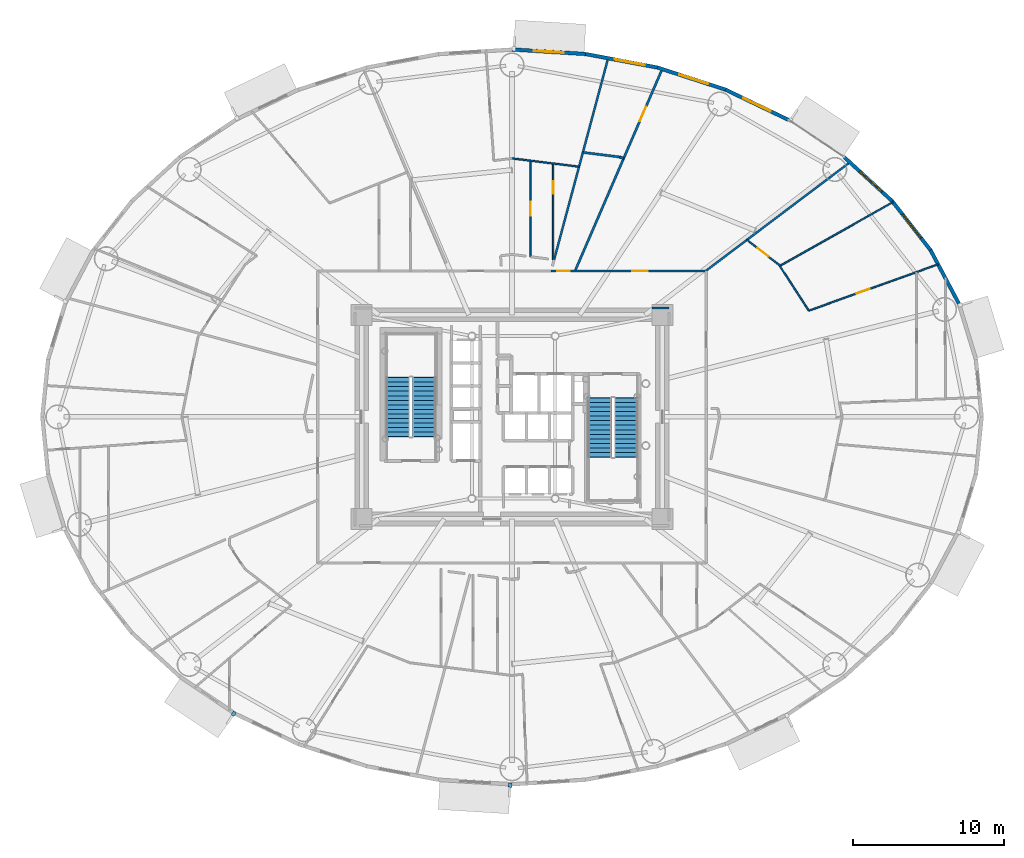
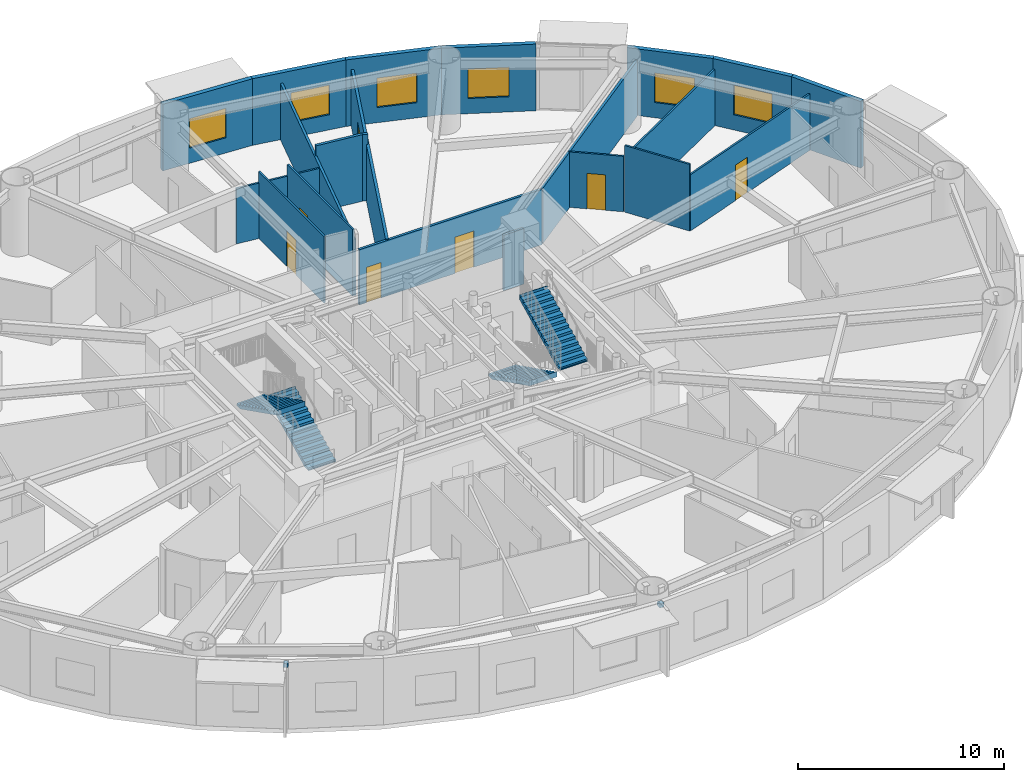
# One storey, part 16 of 24: 21 walls, 7 doors, 6 windows, 4 stair flights, 2 discrete accessories, 13 openings, 2 elements without a shape of their own.
"""IFC4 building model written with IfcOpenShell, lengths in metres."""

from ifc_helpers import new_model, si_unit, direction, frame, frame_2d, origin, origin_2d, place, context, subcontext, project, spatial, polyline, rectangle, outline, extrude, source, transform, mapped, material, layer, layer_set, type_object, element, fill, aggregate, save


model = new_model("IFC4")

# Units and contexts
model_context = context("Model", 3, precision=1e-05, world=origin(), true_north=direction((0.0, 1.0)))
body_context = subcontext(model_context, "Body", "Model", "MODEL_VIEW")
ifc_project = project(units=[si_unit("LENGTHUNIT", "METRE"), si_unit("AREAUNIT", "SQUARE_METRE"), si_unit("VOLUMEUNIT", "CUBIC_METRE"), si_unit("PLANEANGLEUNIT", "RADIAN"), si_unit("MASSUNIT", "GRAM", prefix="KILO")], contexts=[model_context])

# Site, building, storey
site_placement = place(None, origin())
site = spatial("IfcSite", under=ifc_project, at=site_placement, CompositionType="ELEMENT")
building_placement = place(site_placement, origin())
building = spatial("IfcBuilding", under=site, at=building_placement, Name="Linh Dai School and Residence Tower", CompositionType="ELEMENT")
storey_placement = place(building_placement, frame((0.0, 0.0, 70.199951171875)))
storey = spatial("IfcBuildingStorey", under=building, at=storey_placement, Name="L16", CompositionType="ELEMENT", Elevation=70.199951171875)

# Wall
ifc_material_1 = material(Name="Precast Concrete B45 (C35/45)", Category="concrete")
ifc_layer_1 = layer(ifc_material_1, 0.239990234375)
ifc_layer_set_1 = layer_set([ifc_layer_1], Name="Precast Concrete B45 (C35/45)")
wall_type_1 = type_object("IfcWallType", Name="EW-TC-240", PredefinedType="SOLIDWALL", material=ifc_layer_set_1)
wall_1_placement = place(storey_placement, frame((63.694580078125, 38.022705078125, 0.0), z_axis=(0.0, 0.0, 1.0), x_axis=(0.467662443071, -0.883907144072, 0.0)))
element("IfcWall", 1, at=wall_1_placement, inside=storey, type_object=wall_type_1, Name="L16 Terracotta Exterior Wall 03", PredefinedType="SOLIDWALL", context=body_context, shape_type="SweptSolid", body=[
    extrude(rectangle(XDim=3.983642578125, YDim=0.239990234375, at=frame_2d((1.99169921875, 0.0))), origin(), (0.0, 0.0, 1.0), 3.949951171875),
])

# Wall, opening, window
wall_2_placement = place(storey_placement, frame((61.149658203125, 41.274658203125, 0.0), z_axis=(0.0, 0.0, 1.0), x_axis=(0.616295508253, -0.787514981767, 0.0)))
wall_2 = element("IfcWall", 2, at=wall_2_placement, inside=storey, type_object=wall_type_1, Name="L16 Terracotta Exterior Wall 04", PredefinedType="SOLIDWALL", context=body_context, shape_type="SweptSolid", body=[
    extrude(rectangle(XDim=4.12939453125, YDim=0.239990234375, at=frame_2d((2.064697265625, 0.0))), origin(), (0.0, 0.0, 1.0), 3.949951171875),
])
opening_1_placement = place(wall_2_placement, frame((1.091796875, 0.0, 0.89990234375)))
opening_1 = element("IfcOpeningElement", 3, at=opening_1_placement, cuts=wall_2, Name="Opening W1", PredefinedType="OPENING", context=body_context, shape_type="SweptSolid", body=[
    extrude(rectangle(XDim=2.0, YDim=1.75, at=origin_2d()), frame((1.0, 0.1298828125, 0.875), z_axis=(0.0, -1.0, 0.0), x_axis=(1.0, 0.0, 0.0)), (0.0, 0.0, 1.0), 0.260009765625),
])
ifc_material_2 = material(Name="Double Low-E Insulated Glazing", Category="glass")
window_type = type_object("IfcWindowType", Name="WN-RES-2000x1750", PartitioningType="DOUBLE_PANEL_VERTICAL", PredefinedType="WINDOW", material=ifc_material_2)
shared_shape_1 = source(origin(), body_context, "Body", "SweptSolid", [
    extrude(rectangle(XDim=2.0, YDim=1.75, at=origin_2d()), frame((1.0, 0.030029296875, 0.875), z_axis=(0.0, -1.0, 0.0), x_axis=(1.0, 0.0, 0.0)), (0.0, 0.0, 1.0), 0.06005859375),
])
window_1_placement = place(opening_1_placement, origin())
window_1 = element("IfcWindow", 4, at=window_1_placement, inside=storey, type_object=window_type, Name="L16 Exterior Window 04.1", OverallHeight=1.75, OverallWidth=2.0, PartitioningType="DOUBLE_PANEL_VERTICAL", PredefinedType="WINDOW", context=body_context, shape_type="MappedRepresentation", body=[
    mapped(shared_shape_1, transform((0.0, 0.0, 0.0), x_axis=(1.0, 0.0, 0.0), y_axis=(0.0, 1.0, 0.0), z_axis=(0.0, 0.0, 1.0), scale=1.0)),
])
fill(opening_1, window_1)

wall_3_placement = place(storey_placement, frame((57.984619140625, 44.17626953125, 0.0), z_axis=(0.0, 0.0, 1.0), x_axis=(0.737116376281, -0.67576582321, 0.0)))
wall_3 = element("IfcWall", 5, at=wall_3_placement, inside=storey, type_object=wall_type_1, Name="L16 Terracotta Exterior Wall 05", PredefinedType="SOLIDWALL", context=body_context, shape_type="SweptSolid", body=[
    extrude(rectangle(XDim=4.293701171875, YDim=0.239990234375, at=frame_2d((2.14697265625, 0.0))), origin(), (0.0, 0.0, 1.0), 3.949951171875),
])
opening_2_placement = place(wall_3_placement, frame((1.3779296875, 0.0, 0.89990234375)))
opening_2 = element("IfcOpeningElement", 6, at=opening_2_placement, cuts=wall_3, Name="Opening W1", PredefinedType="OPENING", context=body_context, shape_type="SweptSolid", body=[
    extrude(rectangle(XDim=2.0, YDim=1.75, at=origin_2d()), frame((1.0, 0.1298828125, 0.875), z_axis=(0.0, -1.0, 0.0), x_axis=(1.0, 0.0, 0.0)), (0.0, 0.0, 1.0), 0.260009765625),
])
window_2_placement = place(opening_2_placement, origin())
window_2 = element("IfcWindow", 7, at=window_2_placement, inside=storey, type_object=window_type, Name="L16 Exterior Window 05.1", OverallHeight=1.75, OverallWidth=2.0, PartitioningType="DOUBLE_PANEL_VERTICAL", PredefinedType="WINDOW", context=body_context, shape_type="MappedRepresentation", body=[
    mapped(shared_shape_1, transform((0.0, 0.0, 0.0), x_axis=(1.0, 0.0, 0.0), y_axis=(0.0, 1.0, 0.0), z_axis=(0.0, 0.0, 1.0), scale=1.0)),
])
fill(opening_2, window_2)

wall_4_placement = place(storey_placement, frame((50.1181640625, 48.651123046875, 0.0), z_axis=(0.0, 0.0, 1.0), x_axis=(0.901601503137, -0.432567601123, 0.0)))
wall_4 = element("IfcWall", 8, at=wall_4_placement, inside=storey, type_object=wall_type_1, Name="L16 Terracotta Exterior Wall 07", PredefinedType="SOLIDWALL", context=body_context, shape_type="SweptSolid", body=[
    extrude(rectangle(XDim=4.61279296875, YDim=0.239990234375, at=frame_2d((2.306396484375, 0.0))), origin(), (0.0, 0.0, 1.0), 3.949951171875),
])
opening_3_placement = place(wall_4_placement, frame((1.306396484375, 0.0, 0.89990234375)))
opening_3 = element("IfcOpeningElement", 9, at=opening_3_placement, cuts=wall_4, Name="Opening W1", PredefinedType="OPENING", context=body_context, shape_type="SweptSolid", body=[
    extrude(rectangle(XDim=2.0, YDim=1.75, at=origin_2d()), frame((1.0, 0.1298828125, 0.875), z_axis=(0.0, -1.0, 0.0), x_axis=(1.0, 0.0, 0.0)), (0.0, 0.0, 1.0), 0.260009765625),
])
window_3_placement = place(opening_3_placement, origin())
window_3 = element("IfcWindow", 10, at=window_3_placement, inside=storey, type_object=window_type, Name="L16 Exterior Window 07.1", OverallHeight=1.75, OverallWidth=2.0, PartitioningType="DOUBLE_PANEL_VERTICAL", PredefinedType="WINDOW", context=body_context, shape_type="MappedRepresentation", body=[
    mapped(shared_shape_1, transform((0.0, 0.0, 0.0), x_axis=(1.0, 0.0, 0.0), y_axis=(0.0, 1.0, 0.0), z_axis=(0.0, 0.0, 1.0), scale=1.0)),
])
fill(opening_3, window_3)

wall_5_placement = place(storey_placement, frame((45.610595703125, 50.11328125, 0.0), z_axis=(0.0, 0.0, 1.0), x_axis=(0.951207699013, -0.308551313946, 0.0)))
wall_5 = element("IfcWall", 11, at=wall_5_placement, inside=storey, type_object=wall_type_1, Name="L16 Terracotta Exterior Wall 08", PredefinedType="SOLIDWALL", context=body_context, shape_type="SweptSolid", body=[
    extrude(rectangle(XDim=4.73876953125, YDim=0.239990234375, at=frame_2d((2.369384765625, 0.0))), origin(), (0.0, 0.0, 1.0), 3.949951171875),
])
opening_4_placement = place(wall_5_placement, frame((1.531005859375, 0.0, 0.89990234375)))
opening_4 = element("IfcOpeningElement", 12, at=opening_4_placement, cuts=wall_5, Name="Opening W1", PredefinedType="OPENING", context=body_context, shape_type="SweptSolid", body=[
    extrude(rectangle(XDim=2.0, YDim=1.75, at=origin_2d()), frame((1.0, 0.1298828125, 0.875), z_axis=(0.0, -1.0, 0.0), x_axis=(1.0, 0.0, 0.0)), (0.0, 0.0, 1.0), 0.260009765625),
])
window_4_placement = place(opening_4_placement, origin())
window_4 = element("IfcWindow", 13, at=window_4_placement, inside=storey, type_object=window_type, Name="L16 Exterior Window 08.1", OverallHeight=1.75, OverallWidth=2.0, PartitioningType="DOUBLE_PANEL_VERTICAL", PredefinedType="WINDOW", context=body_context, shape_type="MappedRepresentation", body=[
    mapped(shared_shape_1, transform((0.0, 0.0, 0.0), x_axis=(1.0, 0.0, 0.0), y_axis=(0.0, 1.0, 0.0), z_axis=(0.0, 0.0, 1.0), scale=1.0)),
])
fill(opening_4, window_4)

wall_6_placement = place(storey_placement, frame((40.865478515625, 51.005126953125, 0.0), z_axis=(0.0, 0.0, 1.0), x_axis=(0.982791952378, -0.184715939598, 0.0)))
wall_6 = element("IfcWall", 14, at=wall_6_placement, inside=storey, type_object=wall_type_1, Name="L16 Terracotta Exterior Wall 09", PredefinedType="SOLIDWALL", context=body_context, shape_type="SweptSolid", body=[
    extrude(rectangle(XDim=4.828125, YDim=0.239990234375, at=frame_2d((2.4140625, 0.0))), origin(), (0.0, 0.0, 1.0), 3.949951171875),
])
opening_5_placement = place(wall_6_placement, frame((1.974365234375, 0.0, 0.89990234375)))
opening_5 = element("IfcOpeningElement", 15, at=opening_5_placement, cuts=wall_6, Name="Opening W1", PredefinedType="OPENING", context=body_context, shape_type="SweptSolid", body=[
    extrude(rectangle(XDim=2.0, YDim=1.75, at=origin_2d()), frame((1.0, 0.1298828125, 0.875), z_axis=(0.0, -1.0, 0.0), x_axis=(1.0, 0.0, 0.0)), (0.0, 0.0, 1.0), 0.260009765625),
])
window_5_placement = place(opening_5_placement, origin())
window_5 = element("IfcWindow", 16, at=window_5_placement, inside=storey, type_object=window_type, Name="L16 Exterior Window 09.1", OverallHeight=1.75, OverallWidth=2.0, PartitioningType="DOUBLE_PANEL_VERTICAL", PredefinedType="WINDOW", context=body_context, shape_type="MappedRepresentation", body=[
    mapped(shared_shape_1, transform((0.0, 0.0, 0.0), x_axis=(1.0, 0.0, 0.0), y_axis=(0.0, 1.0, 0.0), z_axis=(0.0, 0.0, 1.0), scale=1.0)),
])
fill(opening_5, window_5)

wall_7_placement = place(storey_placement, frame((36.0, 51.304931640625, 0.0), z_axis=(0.0, 0.0, 1.0), x_axis=(0.998106954071, -0.061502099433, 0.0)))
wall_7 = element("IfcWall", 17, at=wall_7_placement, inside=storey, type_object=wall_type_1, Name="L16 Terracotta Exterior Wall 10", PredefinedType="SOLIDWALL", context=body_context, shape_type="SweptSolid", body=[
    extrude(rectangle(XDim=4.874755859375, YDim=0.239990234375, at=frame_2d((2.4375, 0.0))), origin(), (0.0, 0.0, 1.0), 3.949951171875),
])
opening_6_placement = place(wall_7_placement, frame((1.437255859375, 0.0, 0.89990234375)))
opening_6 = element("IfcOpeningElement", 18, at=opening_6_placement, cuts=wall_7, Name="Opening W1", PredefinedType="OPENING", context=body_context, shape_type="SweptSolid", body=[
    extrude(rectangle(XDim=2.0, YDim=1.75, at=origin_2d()), frame((1.0, 0.1298828125, 0.875), z_axis=(0.0, -1.0, 0.0), x_axis=(1.0, 0.0, 0.0)), (0.0, 0.0, 1.0), 0.260009765625),
])
window_6_placement = place(opening_6_placement, origin())
window_6 = element("IfcWindow", 19, at=window_6_placement, inside=storey, type_object=window_type, Name="L16 Exterior Window 10.1", OverallHeight=1.75, OverallWidth=2.0, PartitioningType="DOUBLE_PANEL_VERTICAL", PredefinedType="WINDOW", context=body_context, shape_type="MappedRepresentation", body=[
    mapped(shared_shape_1, transform((0.0, 0.0, 0.0), x_axis=(1.0, 0.0, 0.0), y_axis=(0.0, 1.0, 0.0), z_axis=(0.0, 0.0, 1.0), scale=1.0)),
])
fill(opening_6, window_6)

# Wall, openings, doors
ifc_material_3 = material(Name="Autoclaved Aerated Concrete Blockwork", Category="masonry")
ifc_layer_2 = layer(ifc_material_3, 0.135009765625)
ifc_layer_set_2 = layer_set([ifc_layer_2], Name="Autoclaved Aerated Concrete Blockwork")
wall_type_2 = type_object("IfcWallType", Name="IW-CORR-135-EI90", PredefinedType="PARTITIONING", material=ifc_layer_set_2)
wall_8_placement = place(storey_placement, frame((38.585693359375, 36.64990234375, 0.0), z_axis=(0.0, 0.0, 1.0), x_axis=(1.0, 0.0, 0.0)))
wall_8 = element("IfcWall", 20, at=wall_8_placement, inside=storey, type_object=wall_type_2, Name="L16 Interior Partition Wall 070", PredefinedType="PARTITIONING", context=body_context, shape_type="SweptSolid", body=[
    extrude(rectangle(XDim=10.22021484375, YDim=0.135009765625, at=frame_2d((5.110107421875, 0.0))), origin(), (0.0, 0.0, 1.0), 3.28515625),
])
opening_7_placement = place(wall_8_placement, frame((5.356201171875, 0.0, 0.0)))
opening_7 = element("IfcOpeningElement", 21, at=opening_7_placement, cuts=wall_8, Name="Opening D04", PredefinedType="OPENING", context=body_context, shape_type="SweptSolid", body=[
    extrude(rectangle(XDim=1.050048828125, YDim=2.14990234375, at=origin_2d()), frame((0.52490234375, 0.07763671875, 1.074951171875), z_axis=(0.0, -1.0, 0.0), x_axis=(1.0, 0.0, 0.0)), (0.0, 0.0, 1.0), 0.155029296875),
])
opening_8_placement = place(wall_8_placement, frame((0.401123046875, 0.0, 0.0)))
opening_8 = element("IfcOpeningElement", 22, at=opening_8_placement, cuts=wall_8, Name="Opening D06", PredefinedType="OPENING", context=body_context, shape_type="SweptSolid", body=[
    extrude(rectangle(XDim=0.820068359375, YDim=2.10009765625, at=origin_2d()), frame((0.41015625, 0.07763671875, 1.050048828125), z_axis=(0.0, -1.0, 0.0), x_axis=(1.0, 0.0, 0.0)), (0.0, 0.0, 1.0), 0.155029296875),
])
ifc_material_4 = material(Name="Acoustic Vision-Panel Timber Classroom Door", Category="wood")
door_type_1 = type_object("IfcDoorType", Name="DR-SCH-1050x2150-FD60S", OperationType="NOTDEFINED", PredefinedType="DOOR", material=ifc_material_4)
shared_shape_2 = source(origin(), body_context, "Body", "SweptSolid", [
    extrude(rectangle(XDim=1.050048828125, YDim=2.14990234375, at=origin_2d()), frame((0.52490234375, 0.02490234375, 1.074951171875), z_axis=(0.0, -1.0, 0.0), x_axis=(1.0, 0.0, 0.0)), (0.0, 0.0, 1.0), 0.050048828125),
])
door_1_placement = place(opening_7_placement, origin())
door_1 = element("IfcDoor", 23, at=door_1_placement, inside=storey, type_object=door_type_1, Name="L16 Co-Working Business Office Door", OperationType="SINGLE_SWING_LEFT", OverallHeight=2.14990234375, OverallWidth=1.050048828125, PredefinedType="DOOR", context=body_context, shape_type="MappedRepresentation", body=[
    mapped(shared_shape_2, transform((0.0, 0.0, 0.0), x_axis=(1.0, 0.0, 0.0), y_axis=(0.0, 1.0, 0.0), z_axis=(0.0, 0.0, 1.0), scale=1.0)),
])
fill(opening_7, door_1)
ifc_material_5 = material(Name="Moisture-Resistant Timber Bathroom Door", Category="wood")
door_type_2 = type_object("IfcDoorType", Name="DR-WET-820x2100", OperationType="NOTDEFINED", PredefinedType="DOOR", material=ifc_material_5)
shared_shape_3 = source(origin(), body_context, "Body", "SweptSolid", [
    extrude(rectangle(XDim=0.820068359375, YDim=2.10009765625, at=origin_2d()), frame((0.41015625, 0.02490234375, 1.050048828125), z_axis=(0.0, -1.0, 0.0), x_axis=(1.0, 0.0, 0.0)), (0.0, 0.0, 1.0), 0.050048828125),
])
door_2_placement = place(opening_8_placement, origin())
door_2 = element("IfcDoor", 24, at=door_2_placement, inside=storey, type_object=door_type_2, Name="L16 Amenity Accessible WC Door", OperationType="SINGLE_SWING_RIGHT", OverallHeight=2.10009765625, OverallWidth=0.820068359375, PredefinedType="DOOR", context=body_context, shape_type="MappedRepresentation", body=[
    mapped(shared_shape_3, transform((0.0, 0.0, 0.0), x_axis=(1.0, 0.0, 0.0), y_axis=(0.0, 1.0, 0.0), z_axis=(0.0, 0.0, 1.0), scale=1.0)),
])
fill(opening_8, door_2)

# Walls
wall_9_placement = place(storey_placement, frame((38.78759765625, 37.403564453125, 0.0), z_axis=(0.0, 0.0, 1.0), x_axis=(0.258823359021, 0.965924670368, 0.0)))
element("IfcWall", 25, at=wall_9_placement, inside=storey, type_object=wall_type_2, Name="L16 Interior Partition Wall 072", PredefinedType="PARTITIONING", context=body_context, shape_type="SweptSolid", body=[
    extrude(rectangle(XDim=13.79638671875, YDim=0.135009765625, at=frame_2d((6.898193359375, 0.0))), origin(), (0.0, 0.0, 1.0), 3.3349609375),
])
wall_10_placement = place(storey_placement, frame((48.85009765625, 36.68310546875, 0.0), z_axis=(0.0, 0.0, 1.0), x_axis=(0.798631551047, 0.601820276888, 0.0)))
element("IfcWall", 26, at=wall_10_placement, inside=storey, type_object=wall_type_2, Name="L16 Interior Partition Wall 094", PredefinedType="PARTITIONING", context=body_context, shape_type="SweptSolid", body=[
    extrude(rectangle(XDim=11.89990234375, YDim=0.135009765625, at=frame_2d((5.949951171875, 0.0))), origin(), (0.0, 0.0, 1.0), 3.28515625),
])
wall_11_placement = place(storey_placement, frame((46.39990234375, 34.199951171875, 0.0), z_axis=(0.0, 0.0, 1.0), x_axis=(-1.0, 0.0, 0.0)))
element("IfcWall", 27, at=wall_11_placement, inside=storey, type_object=wall_type_2, Name="L16 Interior Partition Wall 125", PredefinedType="PARTITIONING", context=body_context, shape_type="SweptSolid", body=[
    extrude(rectangle(XDim=1.139892578125, YDim=0.135009765625, at=frame_2d((0.56982421875, 0.0))), origin(), (0.0, 0.0, 1.0), 3.28515625),
])

# Wall, opening, door
ifc_layer_3 = layer(ifc_material_3, 0.14990234375)
ifc_layer_set_3 = layer_set([ifc_layer_3], Name="Autoclaved Aerated Concrete Blockwork")
wall_type_3 = type_object("IfcWallType", Name="IW-SCH-150-EI60", PredefinedType="PARTITIONING", material=ifc_layer_set_3)
wall_12_placement = place(storey_placement, frame((40.16796875, 36.64990234375, 0.0), z_axis=(0.0, 0.0, 1.0), x_axis=(0.396494814434, 0.918036961199, 0.0)))
wall_12 = element("IfcWall", 28, at=wall_12_placement, inside=storey, type_object=wall_type_3, Name="L16 Interior Partition Wall 078", PredefinedType="PARTITIONING", context=body_context, shape_type="SweptSolid", body=[
    extrude(rectangle(XDim=14.554931640625, YDim=0.14990234375, at=frame_2d((7.27734375, 0.0))), origin(), (0.0, 0.0, 1.0), 3.3349609375),
])
opening_9_placement = place(wall_12_placement, frame((10.786865234375, 0.0, 0.0)))
opening_9 = element("IfcOpeningElement", 29, at=opening_9_placement, cuts=wall_12, Name="Opening D04", PredefinedType="OPENING", context=body_context, shape_type="SweptSolid", body=[
    extrude(rectangle(XDim=1.050048828125, YDim=2.14990234375, at=origin_2d()), frame((0.52490234375, 0.0849609375, 1.074951171875), z_axis=(0.0, -1.0, 0.0), x_axis=(1.0, 0.0, 0.0)), (0.0, 0.0, 1.0), 0.169921875),
])
door_3_placement = place(opening_9_placement, origin())
door_3 = element("IfcDoor", 30, at=door_3_placement, inside=storey, type_object=door_type_1, Name="L16 Amenity Tea Salon Door", OperationType="SINGLE_SWING_LEFT", OverallHeight=2.14990234375, OverallWidth=1.050048828125, PredefinedType="DOOR", context=body_context, shape_type="MappedRepresentation", body=[
    mapped(shared_shape_2, transform((0.0, 0.0, 0.0), x_axis=(1.0, 0.0, 0.0), y_axis=(0.0, 1.0, 0.0), z_axis=(0.0, 0.0, 1.0), scale=1.0)),
])
fill(opening_9, door_3)

# Walls
wall_13_placement = place(storey_placement, frame((40.688232421875, 44.496826171875, 0.0), z_axis=(0.0, 0.0, 1.0), x_axis=(0.992393246318, -0.123108263989, 0.0)))
element("IfcWall", 31, at=wall_13_placement, inside=storey, type_object=wall_type_3, Name="L16 Interior Partition Wall 079", PredefinedType="PARTITIONING", context=body_context, shape_type="SweptSolid", body=[
    extrude(rectangle(XDim=2.465087890625, YDim=0.14990234375, at=frame_2d((1.232421875, 0.0))), origin(), (0.0, 0.0, 1.0), 3.949951171875),
])
wall_14_placement = place(storey_placement, frame((43.134521484375, 44.193359375, 0.0), z_axis=(0.0, 0.0, 1.0), x_axis=(0.928853768355, -0.370446591309, 0.0)))
element("IfcWall", 32, at=wall_14_placement, inside=storey, type_object=wall_type_3, Name="L16 Interior Partition Wall 086", PredefinedType="PARTITIONING", context=body_context, shape_type="SweptSolid", body=[
    extrude(rectangle(XDim=0.267578125, YDim=0.14990234375, at=frame_2d((0.1337890625, 0.0))), origin(), (0.0, 0.0, 1.0), 3.949951171875),
])
ifc_material_6 = material(Name="Gypsum Plasterboard Acoustic Stud Partition", Category="masonry")
ifc_layer_4 = layer(ifc_material_6, 0.10009765625)
ifc_layer_set_4 = layer_set([ifc_layer_4], Name="Gypsum Plasterboard Acoustic Stud Partition")
wall_type_4 = type_object("IfcWallType", Name="IW-UNIT-100", PredefinedType="PARTITIONING", material=ifc_layer_set_4)
wall_15_placement = place(storey_placement, frame((36.0, 44.10107421875, 0.0), z_axis=(0.0, 0.0, 1.0), x_axis=(0.992395933878, -0.123086597249, 0.0)))
element("IfcWall", 33, at=wall_15_placement, inside=storey, type_object=wall_type_4, Name="L16 Interior Partition Wall 061", PredefinedType="PARTITIONING", context=body_context, shape_type="SweptSolid", body=[
    extrude(rectangle(XDim=4.46875, YDim=0.10009765625, at=frame_2d((2.234375, 0.0))), origin(), (0.0, 0.0, 1.0), 3.28515625),
])

# Wall, opening, door
wall_16_placement = place(storey_placement, frame((37.22509765625, 37.59716796875, 0.0), z_axis=(0.0, 0.0, 1.0), x_axis=(0.0, 1.0, 0.0)))
wall_16 = element("IfcWall", 34, at=wall_16_placement, inside=storey, type_object=wall_type_4, Name="L16 Interior Partition Wall 066", PredefinedType="PARTITIONING", context=body_context, shape_type="SweptSolid", body=[
    extrude(rectangle(XDim=6.351806640625, YDim=0.10009765625, at=frame_2d((3.17578125, 0.0))), origin(), (0.0, 0.0, 1.0), 3.949951171875),
])
opening_10_placement = place(wall_16_placement, frame((2.725830078125, 0.0, 0.0)))
opening_10 = element("IfcOpeningElement", 35, at=opening_10_placement, cuts=wall_16, Name="Opening D05", PredefinedType="OPENING", context=body_context, shape_type="SweptSolid", body=[
    extrude(rectangle(XDim=0.89990234375, YDim=2.10009765625, at=origin_2d()), frame((0.449951171875, 0.06005859375, 1.050048828125), z_axis=(0.0, -1.0, 0.0), x_axis=(1.0, 0.0, 0.0)), (0.0, 0.0, 1.0), 0.1201171875),
])
ifc_material_7 = material(Name="Engineered Timber Internal Door", Category="wood")
door_type_3 = type_object("IfcDoorType", Name="DR-INT-900x2100", OperationType="NOTDEFINED", PredefinedType="DOOR", material=ifc_material_7)
shared_shape_4 = source(origin(), body_context, "Body", "SweptSolid", [
    extrude(rectangle(XDim=0.89990234375, YDim=2.10009765625, at=origin_2d()), frame((0.449951171875, 0.02490234375, 1.050048828125), z_axis=(0.0, -1.0, 0.0), x_axis=(1.0, 0.0, 0.0)), (0.0, 0.0, 1.0), 0.050048828125),
])
door_4_placement = place(opening_10_placement, origin())
door_4 = element("IfcDoor", 36, at=door_4_placement, inside=storey, type_object=door_type_3, Name="L16 Apartment U1601 Kitchen Door", OperationType="SINGLE_SWING_RIGHT", OverallHeight=2.10009765625, OverallWidth=0.89990234375, PredefinedType="DOOR", context=body_context, shape_type="MappedRepresentation", body=[
    mapped(shared_shape_4, transform((0.0, 0.0, 0.0), x_axis=(1.0, 0.0, 0.0), y_axis=(0.0, 1.0, 0.0), z_axis=(0.0, 0.0, 1.0), scale=1.0)),
])
fill(opening_10, door_4)

wall_17_placement = place(storey_placement, frame((38.7275390625, 37.410888671875, 0.0), z_axis=(0.0, 0.0, 1.0), x_axis=(0.0, 1.0, 0.0)))
wall_17 = element("IfcWall", 37, at=wall_17_placement, inside=storey, type_object=wall_type_4, Name="L16 Interior Partition Wall 071", PredefinedType="PARTITIONING", context=body_context, shape_type="SweptSolid", body=[
    extrude(rectangle(XDim=6.351806640625, YDim=0.10009765625, at=frame_2d((3.17578125, 0.0))), origin(), (0.0, 0.0, 1.0), 3.949951171875),
])
opening_11_placement = place(wall_17_placement, frame((4.353515625, 0.0, 0.0)))
opening_11 = element("IfcOpeningElement", 38, at=opening_11_placement, cuts=wall_17, Name="Opening D06", PredefinedType="OPENING", context=body_context, shape_type="SweptSolid", body=[
    extrude(rectangle(XDim=0.820068359375, YDim=2.10009765625, at=origin_2d()), frame((0.41015625, 0.06005859375, 1.050048828125), z_axis=(0.0, -1.0, 0.0), x_axis=(1.0, 0.0, 0.0)), (0.0, 0.0, 1.0), 0.1201171875),
])
door_5_placement = place(opening_11_placement, origin())
door_5 = element("IfcDoor", 39, at=door_5_placement, inside=storey, type_object=door_type_2, Name="L16 Apartment U1601 Bathroom 1 Door", OperationType="SINGLE_SWING_LEFT", OverallHeight=2.10009765625, OverallWidth=0.820068359375, PredefinedType="DOOR", context=body_context, shape_type="MappedRepresentation", body=[
    mapped(shared_shape_3, transform((0.0, 0.0, 0.0), x_axis=(1.0, 0.0, 0.0), y_axis=(0.0, 1.0, 0.0), z_axis=(0.0, 0.0, 1.0), scale=1.0)),
])
fill(opening_11, door_5)

wall_18_placement = place(storey_placement, frame((51.54541015625, 38.71435546875, 0.0), z_axis=(0.0, 0.0, 1.0), x_axis=(0.787378908715, -0.616469345637, 0.0)))
wall_18 = element("IfcWall", 40, at=wall_18_placement, inside=storey, type_object=wall_type_4, Name="L16 Interior Partition Wall 097", PredefinedType="PARTITIONING", context=body_context, shape_type="SweptSolid", body=[
    extrude(rectangle(XDim=2.697021484375, YDim=0.10009765625, at=frame_2d((1.3486328125, 0.0))), origin(), (0.0, 0.0, 1.0), 3.28515625),
])
opening_12_placement = place(wall_18_placement, frame((0.8984375, 0.0, 0.0)))
opening_12 = element("IfcOpeningElement", 41, at=opening_12_placement, cuts=wall_18, Name="Opening D05", PredefinedType="OPENING", context=body_context, shape_type="SweptSolid", body=[
    extrude(rectangle(XDim=0.89990234375, YDim=2.10009765625, at=origin_2d()), frame((0.449951171875, 0.06005859375, 1.050048828125), z_axis=(0.0, -1.0, 0.0), x_axis=(1.0, 0.0, 0.0)), (0.0, 0.0, 1.0), 0.1201171875),
])
door_6_placement = place(opening_12_placement, origin())
door_6 = element("IfcDoor", 42, at=door_6_placement, inside=storey, type_object=door_type_3, Name="L16 Apartment U1607 Study Door", OperationType="SINGLE_SWING_LEFT", OverallHeight=2.10009765625, OverallWidth=0.89990234375, PredefinedType="DOOR", context=body_context, shape_type="MappedRepresentation", body=[
    mapped(shared_shape_4, transform((0.0, 0.0, 0.0), x_axis=(1.0, 0.0, 0.0), y_axis=(0.0, 1.0, 0.0), z_axis=(0.0, 0.0, 1.0), scale=1.0)),
])
fill(opening_12, door_6)

# Walls
wall_19_placement = place(storey_placement, frame((53.7119140625, 36.985595703125, 0.0), z_axis=(0.0, 0.0, 1.0), x_axis=(0.545414193743, -0.838166664372, 0.0)))
element("IfcWall", 43, at=wall_19_placement, inside=storey, type_object=wall_type_4, Name="L16 Interior Partition Wall 099", PredefinedType="PARTITIONING", context=body_context, shape_type="SweptSolid", body=[
    extrude(rectangle(XDim=3.52587890625, YDim=0.10009765625, at=frame_2d((1.762939453125, 0.0))), origin(), (0.0, 0.0, 1.0), 3.949951171875),
])
wall_20_placement = place(storey_placement, frame((53.7119140625, 36.985595703125, 0.0), z_axis=(0.0, 0.0, 1.0), x_axis=(0.871096144904, 0.491112519016, 0.0)))
element("IfcWall", 44, at=wall_20_placement, inside=storey, type_object=wall_type_4, Name="L16 Interior Partition Wall 100", PredefinedType="PARTITIONING", context=body_context, shape_type="SweptSolid", body=[
    extrude(rectangle(XDim=8.60302734375, YDim=0.10009765625, at=frame_2d((4.301513671875, 0.0))), origin(), (0.0, 0.0, 1.0), 3.3349609375),
])

# Wall, opening, door
wall_21_placement = place(storey_placement, frame((55.635009765625, 34.0302734375, 0.0), z_axis=(0.0, 0.0, 1.0), x_axis=(0.941479076549, 0.337071429255, 0.0)))
wall_21 = element("IfcWall", 45, at=wall_21_placement, inside=storey, type_object=wall_type_4, Name="L16 Interior Partition Wall 101", PredefinedType="PARTITIONING", context=body_context, shape_type="SweptSolid", body=[
    extrude(rectangle(XDim=9.088623046875, YDim=0.10009765625, at=frame_2d((4.54443359375, 0.0))), origin(), (0.0, 0.0, 1.0), 3.3349609375),
])
opening_13_placement = place(wall_21_placement, frame((3.357177734375, 0.0, 0.0)))
opening_13 = element("IfcOpeningElement", 46, at=opening_13_placement, cuts=wall_21, Name="Opening D05", PredefinedType="OPENING", context=body_context, shape_type="SweptSolid", body=[
    extrude(rectangle(XDim=0.89990234375, YDim=2.10009765625, at=origin_2d()), frame((0.449951171875, 0.06005859375, 1.050048828125), z_axis=(0.0, -1.0, 0.0), x_axis=(1.0, 0.0, 0.0)), (0.0, 0.0, 1.0), 0.1201171875),
])
door_7_placement = place(opening_13_placement, origin())
door_7 = element("IfcDoor", 47, at=door_7_placement, inside=storey, type_object=door_type_3, Name="L16 Apartment U1607 Principal Bedroom 2 Door", OperationType="SINGLE_SWING_RIGHT", OverallHeight=2.10009765625, OverallWidth=0.89990234375, PredefinedType="DOOR", context=body_context, shape_type="MappedRepresentation", body=[
    mapped(shared_shape_4, transform((0.0, 0.0, 0.0), x_axis=(1.0, 0.0, 0.0), y_axis=(0.0, 1.0, 0.0), z_axis=(0.0, 0.0, 1.0), scale=1.0)),
])
fill(opening_13, door_7)

# Stair, stair flights
ifc_material_8 = material(Name="Concrete B45 (C35/45)", Category="concrete")
stair_type = type_object("IfcStairType", Name="ST-DOG-1550-R1500", PredefinedType="HALF_TURN_STAIR", material=ifc_material_8)
stair_1_placement = place(storey_placement, origin())
stair_1 = element("IfcStair", 48, at=stair_1_placement, inside=storey, type_object=stair_type, Name="L16 Core Smokeproof Exit Stair ST1", PredefinedType="HALF_TURN_STAIR")
stair_flight_type = type_object("IfcStairFlightType", Name="STF-STR-1550-R1500", PredefinedType="STRAIGHT", material=ifc_material_8)
shared_shape_5 = source(origin(), body_context, "Body", "SweptSolid", [
    extrude(outline(polyline([(-0.02490234375, 0.0), (-0.02490234375, 0.06005859375), (0.0, 0.06005859375), (0.0, 0.14990234375), (0.300048828125, 0.14990234375), (0.300048828125, 0.300048828125), (0.60009765625, 0.300048828125), (0.60009765625, 0.449951171875), (0.89990234375, 0.449951171875), (0.89990234375, 0.60009765625), (1.199951171875, 0.60009765625), (1.199951171875, 0.75), (1.5, 0.75), (1.5, 0.89990234375), (1.800048828125, 0.89990234375), (1.800048828125, 1.050048828125), (2.10009765625, 1.050048828125), (2.10009765625, 1.199951171875), (2.39990234375, 1.199951171875), (2.39990234375, 1.35009765625), (2.699951171875, 1.35009765625), (2.699951171875, 1.5), (3.0, 1.5), (3.0, 1.64990234375), (3.300048828125, 1.64990234375), (3.300048828125, 1.800048828125), (3.60009765625, 1.800048828125), (3.60009765625, 1.949951171875), (3.89990234375, 1.949951171875), (3.89990234375, 2.10009765625), (3.925048828125, 2.10009765625), (3.925048828125, 1.782470703125), (3.89990234375, 1.782470703125), (0.335205078125, 0.0), (-0.02490234375, 0.0)])), frame((0.0, 0.77490234375, 0.0), z_axis=(0.0, -1.0, 0.0), x_axis=(1.0, 0.0, 0.0)), (0.0, 0.0, 1.0), 1.550048828125),
])
stair_flight_1_placement = place(storey_placement, frame((30.205078125, 25.699951171875, 0.0), z_axis=(0.0, 0.0, 1.0), x_axis=(0.0, 1.0, 0.0)))
stair_flight_1 = element("IfcStairFlight", 49, at=stair_flight_1_placement, type_object=stair_flight_type, Name="ST1 flight 1", NumberOfRisers=14, NumberOfTreads=13, PredefinedType="STRAIGHT", RiserHeight=0.15, TreadLength=0.3, context=body_context, shape_type="MappedRepresentation", body=[
    mapped(shared_shape_5, transform((0.0, 0.0, 0.0), x_axis=(1.0, 0.0, 0.0), y_axis=(0.0, 1.0, 0.0), z_axis=(0.0, 0.0, 1.0), scale=1.0)),
])
stair_flight_2_placement = place(storey_placement, frame((28.455078125, 29.60009765625, 2.10009765625), z_axis=(0.0, 0.0, 1.0), x_axis=(0.0, -1.0, 0.0)))
stair_flight_2 = element("IfcStairFlight", 50, at=stair_flight_2_placement, type_object=stair_flight_type, Name="ST1 flight 2", NumberOfRisers=14, NumberOfTreads=13, PredefinedType="STRAIGHT", RiserHeight=0.15, TreadLength=0.3, context=body_context, shape_type="MappedRepresentation", body=[
    mapped(shared_shape_5, transform((0.0, 0.0, 0.0), x_axis=(1.0, 0.0, 0.0), y_axis=(0.0, 1.0, 0.0), z_axis=(0.0, 0.0, 1.0), scale=1.0)),
])
aggregate(stair_1, [stair_flight_1, stair_flight_2])

stair_2_placement = place(storey_placement, origin())
stair_2 = element("IfcStair", 51, at=stair_2_placement, inside=storey, type_object=stair_type, Name="L16 Core Smokeproof Exit Stair ST2", PredefinedType="HALF_TURN_STAIR")
stair_flight_3_placement = place(storey_placement, frame((41.794921875, 28.25, 0.0), z_axis=(0.0, 0.0, 1.0), x_axis=(0.0, -1.0, 0.0)))
stair_flight_3 = element("IfcStairFlight", 52, at=stair_flight_3_placement, type_object=stair_flight_type, Name="ST2 flight 1", NumberOfRisers=14, NumberOfTreads=13, PredefinedType="STRAIGHT", RiserHeight=0.15, TreadLength=0.3, context=body_context, shape_type="MappedRepresentation", body=[
    mapped(shared_shape_5, transform((0.0, 0.0, 0.0), x_axis=(1.0, 0.0, 0.0), y_axis=(0.0, 1.0, 0.0), z_axis=(0.0, 0.0, 1.0), scale=1.0)),
])
stair_flight_4_placement = place(storey_placement, frame((43.544921875, 24.35009765625, 2.10009765625), z_axis=(0.0, 0.0, 1.0), x_axis=(0.0, 1.0, 0.0)))
stair_flight_4 = element("IfcStairFlight", 53, at=stair_flight_4_placement, type_object=stair_flight_type, Name="ST2 flight 2", NumberOfRisers=14, NumberOfTreads=13, PredefinedType="STRAIGHT", RiserHeight=0.15, TreadLength=0.3, context=body_context, shape_type="MappedRepresentation", body=[
    mapped(shared_shape_5, transform((0.0, 0.0, 0.0), x_axis=(1.0, 0.0, 0.0), y_axis=(0.0, 1.0, 0.0), z_axis=(0.0, 0.0, 1.0), scale=1.0)),
])
aggregate(stair_2, [stair_flight_3, stair_flight_4])

# Discrete accessories
ifc_material_9 = material(Name="Structural Steel S355JR", Category="steel")
discrete_accessory_type = type_object("IfcDiscreteAccessoryType", Name="ACC-BRK-S355", PredefinedType="BRACKET", material=ifc_material_9)
shared_shape_6 = source(origin(), body_context, "Body", "SweptSolid", [
    extrude(rectangle(XDim=0.280029296875, YDim=0.239990234375, at=origin_2d()), origin(), (0.0, 0.0, 1.0), 0.219970703125),
])
for number, where, z_axis, x_axis, name in (
    (54, (17.58984375, 7.361083984375, 3.7001953125), (0.0, 0.0, 1.0), (-0.555897899828, -0.831250578927, 0.0), "L16 Facade Frame Anchor Bracket 26"),
    (55, (35.87646484375, 2.642578125, 3.7001953125), (0.0, 0.0, 1.0), (-0.061506595367, -0.998106677027, 0.0), "L16 Facade Frame Anchor Bracket 30"),
):
    element("IfcDiscreteAccessory", number, at=place(storey_placement, frame(where, z_axis=z_axis, x_axis=x_axis)), inside=storey, type_object=discrete_accessory_type, Name=name, PredefinedType="BRACKET", context=body_context, shape_type="MappedRepresentation", body=[
        mapped(shared_shape_6, transform((0.0, 0.0, 0.0), x_axis=(1.0, 0.0, 0.0), y_axis=(0.0, 1.0, 0.0), z_axis=(0.0, 0.0, 1.0), scale=1.0)),
    ])

save(model, "model.ifc")
